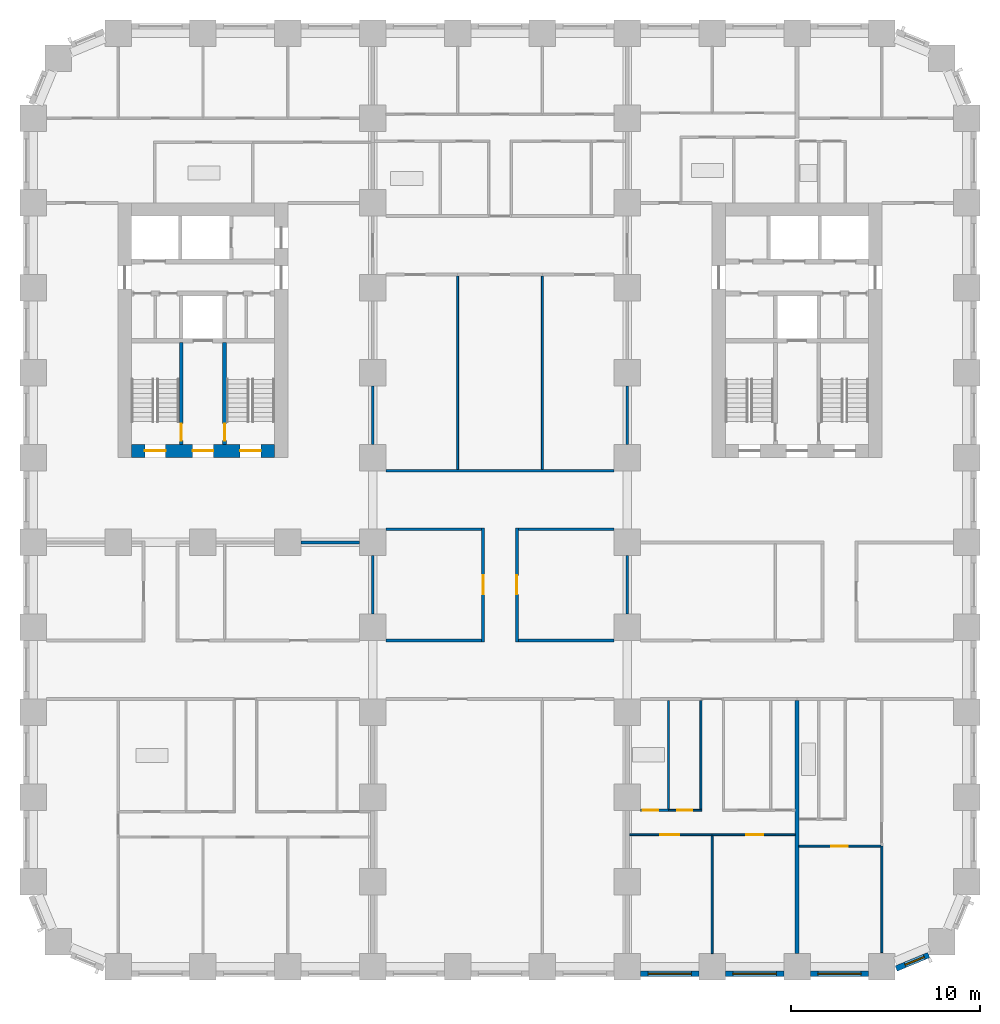
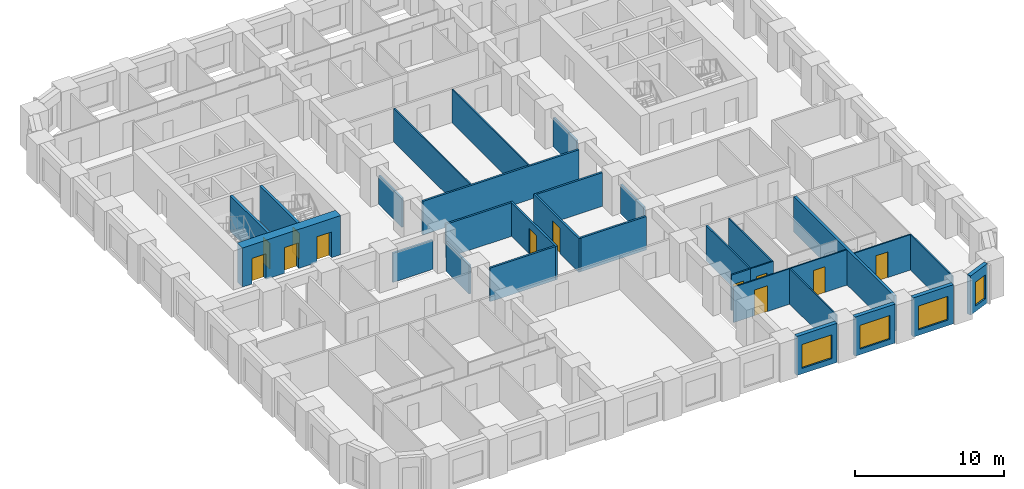
# One storey, part 4 of 13: 31 walls, 12 doors, 4 windows, 16 openings.
"""IFC4 building model written with IfcOpenShell, lengths in metres."""

from ifc_helpers import new_model, si_unit, direction, frame, frame_2d, origin, place, context, subcontext, project, spatial, rectangle, extrude, material, layer, layer_set, type_object, element, fill, save


model = new_model("IFC4")

# Units and contexts
model_context = context("Model", 3, precision=1e-05, world=origin(), true_north=direction((0.0, 1.0)))
body_context = subcontext(model_context, "Body", "Model", "MODEL_VIEW")
ifc_project = project(units=[si_unit("LENGTHUNIT", "METRE"), si_unit("AREAUNIT", "SQUARE_METRE"), si_unit("VOLUMEUNIT", "CUBIC_METRE"), si_unit("PLANEANGLEUNIT", "RADIAN"), si_unit("MASSUNIT", "GRAM", prefix="KILO")], contexts=[model_context])

# Site, building, storey
site_placement = place(None, origin())
site = spatial("IfcSite", under=ifc_project, at=site_placement, CompositionType="ELEMENT")
building_placement = place(site_placement, origin())
building = spatial("IfcBuilding", under=site, at=building_placement, Name="Girih Gate Residences", CompositionType="ELEMENT")
storey_placement = place(building_placement, frame((0.0, 0.0, 56.0)))
storey = spatial("IfcBuildingStorey", under=building, at=storey_placement, Name="L14", CompositionType="ELEMENT", Elevation=56.0)

# Wall, opening, door
ifc_material_1 = material(Name="Gypsum board on steel studs", Category="steel")
ifc_layer_1 = layer(ifc_material_1, 0.14990234375)
ifc_layer_set_1 = layer_set([ifc_layer_1], Name="Compartment wall 150 mm")
wall_type_1 = type_object("IfcWallType", Name="Compartment wall 150 mm", PredefinedType="PARTITIONING", material=ifc_layer_set_1)
wall_1_placement = place(storey_placement, frame((23.85009765625, 17.22509765625, 0.0), z_axis=(0.0, 0.0, 1.0), x_axis=(0.0, 1.0, 0.0)))
wall_1 = element("IfcWall", 1, at=wall_1_placement, inside=storey, type_object=wall_type_1, Name="L14 partition", PredefinedType="PARTITIONING", context=body_context, shape_type="SweptSolid", body=[
    extrude(rectangle(XDim=6.0498046875, YDim=0.14990234375, at=frame_2d((3.02490234375, 0.0))), origin(), (0.0, 0.0, 1.0), 2.75),
])
opening_1_placement = place(wall_1_placement, frame((2.52490234375, 0.0, 0.0)))
opening_1 = element("IfcOpeningElement", 2, at=opening_1_placement, cuts=wall_1, Name="Opening A14-054", PredefinedType="OPENING", context=body_context, shape_type="SweptSolid", body=[
    extrude(rectangle(XDim=1.0, YDim=2.10009765625, at=frame_2d((0.5, 1.050048828125))), frame((0.0, 0.0849609375, 0.0), z_axis=(0.0, -1.0, 0.0), x_axis=(1.0, 0.0, 0.0)), (0.0, 0.0, 1.0), 0.169921875),
])
ifc_material_2 = material(Name="Timber, fire-rated core", Category="wood")
door_type_1 = type_object("IfcDoorType", Name="Amenity room door 1000x2100 FD30S", OperationType="NOTDEFINED", PredefinedType="DOOR", material=ifc_material_2)
door_1_placement = place(opening_1_placement, origin())
door_1 = element("IfcDoor", 3, at=door_1_placement, inside=storey, type_object=door_type_1, Name="Door A14-054", OperationType="SINGLE_SWING_RIGHT", OverallHeight=2.10009765625, OverallWidth=1.0, PredefinedType="DOOR", context=body_context, shape_type="SweptSolid", body=[
    extrude(rectangle(XDim=1.0, YDim=2.10009765625, at=frame_2d((0.5, 1.050048828125))), frame((0.0, 0.02490234375, 0.0), z_axis=(0.0, -1.0, 0.0), x_axis=(1.0, 0.0, 0.0)), (0.0, 0.0, 1.0), 0.050048828125),
])
fill(opening_1, door_1)

wall_2_placement = place(storey_placement, frame((25.64990234375, 23.27490234375, 0.0), z_axis=(0.0, 0.0, 1.0), x_axis=(0.0, -1.0, 0.0)))
wall_2 = element("IfcWall", 4, at=wall_2_placement, inside=storey, type_object=wall_type_1, Name="L14 partition", PredefinedType="PARTITIONING", context=body_context, shape_type="SweptSolid", body=[
    extrude(rectangle(XDim=6.0498046875, YDim=0.14990234375, at=frame_2d((3.02490234375, 0.0))), origin(), (0.0, 0.0, 1.0), 2.75),
])
opening_2_placement = place(wall_2_placement, frame((2.52490234375, 0.0, 0.0)))
opening_2 = element("IfcOpeningElement", 5, at=opening_2_placement, cuts=wall_2, Name="Opening A14-055", PredefinedType="OPENING", context=body_context, shape_type="SweptSolid", body=[
    extrude(rectangle(XDim=1.0, YDim=2.10009765625, at=frame_2d((0.5, 1.050048828125))), frame((0.0, 0.0849609375, 0.0), z_axis=(0.0, -1.0, 0.0), x_axis=(1.0, 0.0, 0.0)), (0.0, 0.0, 1.0), 0.169921875),
])
door_2_placement = place(opening_2_placement, origin())
door_2 = element("IfcDoor", 6, at=door_2_placement, inside=storey, type_object=door_type_1, Name="Door A14-055", OperationType="SINGLE_SWING_RIGHT", OverallHeight=2.10009765625, OverallWidth=1.0, PredefinedType="DOOR", context=body_context, shape_type="SweptSolid", body=[
    extrude(rectangle(XDim=1.0, YDim=2.10009765625, at=frame_2d((0.5, 1.050048828125))), frame((0.0, 0.02490234375, 0.0), z_axis=(0.0, -1.0, 0.0), x_axis=(1.0, 0.0, 0.0)), (0.0, 0.0, 1.0), 0.050048828125),
])
fill(opening_2, door_2)

# Walls
for number, where, z_axis, x_axis, name in (
    (7, (18.699951171875, 17.300048828125, 0.0), (0.0, 0.0, 1.0), (1.0, 0.0, 0.0), "L14 partition"),
    (8, (25.72509765625, 17.300048828125, 0.0), (0.0, 0.0, 1.0), (1.0, 0.0, 0.0), "L14 partition"),
):
    element("IfcWall", number, at=place(storey_placement, frame(where, z_axis=z_axis, x_axis=x_axis)), inside=storey, type_object=wall_type_1, Name=name, PredefinedType="PARTITIONING", context=body_context, shape_type="SweptSolid", body=[
        extrude(rectangle(XDim=5.074951171875, YDim=0.14990234375, at=frame_2d((2.53759765625, 0.0))), origin(), (0.0, 0.0, 1.0), 2.75),
    ])
wall_3_placement = place(storey_placement, frame((18.0, 27.699951171875, 0.0), z_axis=(0.0, 0.0, 1.0), x_axis=(0.0, 1.0, 0.0)))
element("IfcWall", 9, at=wall_3_placement, inside=storey, type_object=wall_type_1, Name="L14 partition", PredefinedType="PARTITIONING", context=body_context, shape_type="SweptSolid", body=[
    extrude(rectangle(XDim=3.10009765625, YDim=0.14990234375, at=frame_2d((1.550048828125, 0.0))), origin(), (0.0, 0.0, 1.0), 2.3798828125),
])
wall_4_placement = place(storey_placement, frame((18.699951171875, 26.300048828125, 0.0), z_axis=(0.0, 0.0, 1.0), x_axis=(1.0, 0.0, 0.0)))
element("IfcWall", 10, at=wall_4_placement, inside=storey, type_object=wall_type_1, Name="L14 partition", PredefinedType="PARTITIONING", context=body_context, shape_type="SweptSolid", body=[
    extrude(rectangle(XDim=12.10009765625, YDim=0.14990234375, at=frame_2d((6.050048828125, 0.0))), origin(), (0.0, 0.0, 1.0), 2.75),
])
wall_5_placement = place(storey_placement, frame((31.5, 27.699951171875, 0.0), z_axis=(0.0, 0.0, 1.0), x_axis=(0.0, 1.0, 0.0)))
element("IfcWall", 11, at=wall_5_placement, inside=storey, type_object=wall_type_1, Name="L14 partition", PredefinedType="PARTITIONING", context=body_context, shape_type="SweptSolid", body=[
    extrude(rectangle(XDim=3.10009765625, YDim=0.14990234375, at=frame_2d((1.550048828125, 0.0))), origin(), (0.0, 0.0, 1.0), 2.3798828125),
])
wall_6_placement = place(storey_placement, frame((18.699951171875, 23.199951171875, 0.0), z_axis=(0.0, 0.0, 1.0), x_axis=(1.0, 0.0, 0.0)))
element("IfcWall", 12, at=wall_6_placement, inside=storey, type_object=wall_type_1, Name="L14 partition", PredefinedType="PARTITIONING", context=body_context, shape_type="SweptSolid", body=[
    extrude(rectangle(XDim=5.074951171875, YDim=0.14990234375, at=frame_2d((2.53759765625, 0.0))), origin(), (0.0, 0.0, 1.0), 2.75),
])
wall_7_placement = place(storey_placement, frame((18.0, 18.699951171875, 0.0), z_axis=(0.0, 0.0, 1.0), x_axis=(0.0, 1.0, 0.0)))
element("IfcWall", 13, at=wall_7_placement, inside=storey, type_object=wall_type_1, Name="L14 partition", PredefinedType="PARTITIONING", context=body_context, shape_type="SweptSolid", body=[
    extrude(rectangle(XDim=3.10009765625, YDim=0.14990234375, at=frame_2d((1.550048828125, 0.0))), origin(), (0.0, 0.0, 1.0), 2.3798828125),
])
wall_8_placement = place(storey_placement, frame((25.72509765625, 23.199951171875, 0.0), z_axis=(0.0, 0.0, 1.0), x_axis=(1.0, 0.0, 0.0)))
element("IfcWall", 14, at=wall_8_placement, inside=storey, type_object=wall_type_1, Name="L14 partition", PredefinedType="PARTITIONING", context=body_context, shape_type="SweptSolid", body=[
    extrude(rectangle(XDim=5.074951171875, YDim=0.14990234375, at=frame_2d((2.53759765625, 0.0))), origin(), (0.0, 0.0, 1.0), 2.75),
])
for number, where, z_axis, x_axis, name in (
    (15, (31.5, 18.699951171875, 0.0), (0.0, 0.0, 1.0), (0.0, 1.0, 0.0), "L14 partition"),
    (16, (14.199951171875, 22.5, 0.0), (0.0, 0.0, 1.0), (1.0, 0.0, 0.0), "L14 partition"),
):
    element("IfcWall", number, at=place(storey_placement, frame(where, z_axis=z_axis, x_axis=x_axis)), inside=storey, type_object=wall_type_1, Name=name, PredefinedType="PARTITIONING", context=body_context, shape_type="SweptSolid", body=[
        extrude(rectangle(XDim=3.10009765625, YDim=0.14990234375, at=frame_2d((1.550048828125, 0.0))), origin(), (0.0, 0.0, 1.0), 2.3798828125),
    ])

# Wall, openings, doors
ifc_material_3 = material(Name="Concrete C60/75", Category="concrete")
ifc_layer_2 = layer(ifc_material_3, 0.699951171875)
ifc_layer_set_2 = layer_set([ifc_layer_2], Name="Core wall RC 700 Concrete C60/75")
wall_type_2 = type_object("IfcWallType", Name="Core wall RC 700 Concrete C60/75", PredefinedType="SOLIDWALL", material=ifc_layer_set_2)
wall_9_placement = place(storey_placement, frame((5.199951171875, 27.35009765625, 0.0), z_axis=(0.0, 0.0, 1.0), x_axis=(1.0, 0.0, 0.0)))
wall_9 = element("IfcWall", 17, at=wall_9_placement, inside=storey, type_object=wall_type_2, Name="Core wall W-S L14", PredefinedType="SOLIDWALL", context=body_context, shape_type="SweptSolid", body=[
    extrude(rectangle(XDim=7.60009765625, YDim=0.699951171875, at=frame_2d((3.800048828125, 0.0))), origin(), (0.0, 0.0, 1.0), 3.199951171875),
])
opening_3_placement = place(wall_9_placement, frame((0.72509765625, 0.0, 0.0)))
opening_3 = element("IfcOpeningElement", 18, at=opening_3_placement, cuts=wall_9, Name="Opening D-L14-W-010", PredefinedType="OPENING", context=body_context, shape_type="SweptSolid", body=[
    extrude(rectangle(XDim=1.10009765625, YDim=2.10009765625, at=frame_2d((0.550048828125, 1.050048828125))), frame((0.0, 0.35986328125, 0.0), z_axis=(0.0, -1.0, 0.0), x_axis=(1.0, 0.0, 0.0)), (0.0, 0.0, 1.0), 0.719970703125),
])
opening_4_placement = place(wall_9_placement, frame((3.25, 0.0, 0.0)))
opening_4 = element("IfcOpeningElement", 19, at=opening_4_placement, cuts=wall_9, Name="Opening D-L14-W-011", PredefinedType="OPENING", context=body_context, shape_type="SweptSolid", body=[
    extrude(rectangle(XDim=1.10009765625, YDim=2.10009765625, at=frame_2d((0.550048828125, 1.050048828125))), frame((0.0, 0.35986328125, 0.0), z_axis=(0.0, -1.0, 0.0), x_axis=(1.0, 0.0, 0.0)), (0.0, 0.0, 1.0), 0.719970703125),
])
opening_5_placement = place(wall_9_placement, frame((5.77490234375, 0.0, 0.0)))
opening_5 = element("IfcOpeningElement", 20, at=opening_5_placement, cuts=wall_9, Name="Opening D-L14-W-012", PredefinedType="OPENING", context=body_context, shape_type="SweptSolid", body=[
    extrude(rectangle(XDim=1.10009765625, YDim=2.10009765625, at=frame_2d((0.550048828125, 1.050048828125))), frame((0.0, 0.35986328125, 0.0), z_axis=(0.0, -1.0, 0.0), x_axis=(1.0, 0.0, 0.0)), (0.0, 0.0, 1.0), 0.719970703125),
])
ifc_material_4 = material(Name="Painted steel, fire-resisting", Category="steel")
door_type_2 = type_object("IfcDoorType", Name="Fire door 1100x2100", OperationType="SINGLE_SWING_LEFT", PredefinedType="DOOR", material=ifc_material_4)
door_3_placement = place(opening_3_placement, origin())
door_3 = element("IfcDoor", 21, at=door_3_placement, inside=storey, type_object=door_type_2, Name="L14 W core door sta-out", OperationType="SINGLE_SWING_LEFT", OverallHeight=2.10009765625, OverallWidth=1.10009765625, PredefinedType="DOOR", context=body_context, shape_type="SweptSolid", body=[
    extrude(rectangle(XDim=1.10009765625, YDim=2.10009765625, at=frame_2d((0.550048828125, 1.050048828125))), frame((0.0, 0.02490234375, 0.0), z_axis=(0.0, -1.0, 0.0), x_axis=(1.0, 0.0, 0.0)), (0.0, 0.0, 1.0), 0.050048828125),
])
fill(opening_3, door_3)
door_4_placement = place(opening_4_placement, origin())
door_4 = element("IfcDoor", 22, at=door_4_placement, inside=storey, type_object=door_type_2, Name="L14 W core door ffl-out", OperationType="SINGLE_SWING_LEFT", OverallHeight=2.10009765625, OverallWidth=1.10009765625, PredefinedType="DOOR", context=body_context, shape_type="SweptSolid", body=[
    extrude(rectangle(XDim=1.10009765625, YDim=2.10009765625, at=frame_2d((0.550048828125, 1.050048828125))), frame((0.0, 0.02490234375, 0.0), z_axis=(0.0, -1.0, 0.0), x_axis=(1.0, 0.0, 0.0)), (0.0, 0.0, 1.0), 0.050048828125),
])
fill(opening_4, door_4)
door_5_placement = place(opening_5_placement, origin())
door_5 = element("IfcDoor", 23, at=door_5_placement, inside=storey, type_object=door_type_2, Name="L14 W core door stb-out", OperationType="SINGLE_SWING_LEFT", OverallHeight=2.10009765625, OverallWidth=1.10009765625, PredefinedType="DOOR", context=body_context, shape_type="SweptSolid", body=[
    extrude(rectangle(XDim=1.10009765625, YDim=2.10009765625, at=frame_2d((0.550048828125, 1.050048828125))), frame((0.0, 0.02490234375, 0.0), z_axis=(0.0, -1.0, 0.0), x_axis=(1.0, 0.0, 0.0)), (0.0, 0.0, 1.0), 0.050048828125),
])
fill(opening_5, door_5)

# Wall, opening, door
ifc_layer_3 = layer(ifc_material_1, 0.10009765625)
ifc_layer_set_3 = layer_set([ifc_layer_3], Name="Partition 100 mm")
wall_type_3 = type_object("IfcWallType", Name="Partition 100 mm", PredefinedType="PARTITIONING", material=ifc_layer_set_3)
wall_10_placement = place(storey_placement, frame((44.949951171875, 6.39990234375, 0.0), z_axis=(0.0, 0.0, 1.0), x_axis=(-1.0, 0.0, 0.0)))
wall_10 = element("IfcWall", 24, at=wall_10_placement, inside=storey, type_object=wall_type_3, Name="L14 partition", PredefinedType="PARTITIONING", context=body_context, shape_type="SweptSolid", body=[
    extrude(rectangle(XDim=4.349853515625, YDim=0.10009765625, at=frame_2d((2.1748046875, 0.0))), origin(), (0.0, 0.0, 1.0), 2.89990234375),
])
opening_6_placement = place(wall_10_placement, frame((1.75, 0.0, 0.0)))
opening_6 = element("IfcOpeningElement", 25, at=opening_6_placement, cuts=wall_10, Name="Opening A14-018", PredefinedType="OPENING", context=body_context, shape_type="SweptSolid", body=[
    extrude(rectangle(XDim=0.89990234375, YDim=2.10009765625, at=frame_2d((0.449951171875, 1.050048828125))), frame((0.0, 0.06005859375, 0.0), z_axis=(0.0, -1.0, 0.0), x_axis=(1.0, 0.0, 0.0)), (0.0, 0.0, 1.0), 0.1201171875),
])
ifc_material_5 = material(Name="Timber", Category="wood")
door_type_3 = type_object("IfcDoorType", Name="Bedroom door 900x2100", OperationType="NOTDEFINED", PredefinedType="DOOR", material=ifc_material_5)
door_6_placement = place(opening_6_placement, origin())
door_6 = element("IfcDoor", 26, at=door_6_placement, inside=storey, type_object=door_type_3, Name="Door A14-018", OperationType="SINGLE_SWING_RIGHT", OverallHeight=2.10009765625, OverallWidth=0.89990234375, PredefinedType="DOOR", context=body_context, shape_type="SweptSolid", body=[
    extrude(rectangle(XDim=0.89990234375, YDim=2.10009765625, at=frame_2d((0.449951171875, 1.050048828125))), frame((0.0, 0.02490234375, 0.0), z_axis=(0.0, -1.0, 0.0), x_axis=(1.0, 0.0, 0.0)), (0.0, 0.0, 1.0), 0.050048828125),
])
fill(opening_6, door_6)

# Wall
wall_11_placement = place(storey_placement, frame((45.0, 0.757568359375, 0.0), z_axis=(0.0, 0.0, 1.0), x_axis=(0.0, 1.0, 0.0)))
element("IfcWall", 27, at=wall_11_placement, inside=storey, type_object=wall_type_3, Name="L14 partition", PredefinedType="PARTITIONING", context=body_context, shape_type="SweptSolid", body=[
    extrude(rectangle(XDim=5.642333984375, YDim=0.10009765625, at=frame_2d((2.8212890625, 0.0))), origin(), (0.0, 0.0, 1.0), 2.89990234375),
])

# Wall, opening, door
wall_12_placement = place(storey_placement, frame((40.39990234375, 7.0, 0.0), z_axis=(0.0, 0.0, 1.0), x_axis=(-1.0, 0.0, 0.0)))
wall_12 = element("IfcWall", 28, at=wall_12_placement, inside=storey, type_object=wall_type_3, Name="L14 partition", PredefinedType="PARTITIONING", context=body_context, shape_type="SweptSolid", body=[
    extrude(rectangle(XDim=4.39990234375, YDim=0.10009765625, at=frame_2d((2.199951171875, 0.0))), origin(), (0.0, 0.0, 1.0), 2.89990234375),
])
opening_7_placement = place(wall_12_placement, frame((1.699951171875, 0.0, 0.0)))
opening_7 = element("IfcOpeningElement", 29, at=opening_7_placement, cuts=wall_12, Name="Opening A14-023", PredefinedType="OPENING", context=body_context, shape_type="SweptSolid", body=[
    extrude(rectangle(XDim=0.89990234375, YDim=2.10009765625, at=frame_2d((0.449951171875, 1.050048828125))), frame((0.0, 0.06005859375, 0.0), z_axis=(0.0, -1.0, 0.0), x_axis=(1.0, 0.0, 0.0)), (0.0, 0.0, 1.0), 0.1201171875),
])
door_7_placement = place(opening_7_placement, origin())
door_7 = element("IfcDoor", 30, at=door_7_placement, inside=storey, type_object=door_type_3, Name="Door A14-023", OperationType="SINGLE_SWING_LEFT", OverallHeight=2.10009765625, OverallWidth=0.89990234375, PredefinedType="DOOR", context=body_context, shape_type="SweptSolid", body=[
    extrude(rectangle(XDim=0.89990234375, YDim=2.10009765625, at=frame_2d((0.449951171875, 1.050048828125))), frame((0.0, 0.02490234375, 0.0), z_axis=(0.0, -1.0, 0.0), x_axis=(1.0, 0.0, 0.0)), (0.0, 0.0, 1.0), 0.050048828125),
])
fill(opening_7, door_7)

# Wall
wall_13_placement = place(storey_placement, frame((36.0, 0.699951171875, 0.0), z_axis=(0.0, 0.0, 1.0), x_axis=(0.0, 1.0, 0.0)))
element("IfcWall", 31, at=wall_13_placement, inside=storey, type_object=wall_type_3, Name="L14 partition", PredefinedType="PARTITIONING", context=body_context, shape_type="SweptSolid", body=[
    extrude(rectangle(XDim=6.25, YDim=0.10009765625, at=frame_2d((3.125, 0.0))), origin(), (0.0, 0.0, 1.0), 2.89990234375),
])

# Wall, opening, door
wall_14_placement = place(storey_placement, frame((36.0, 7.0, 0.0), z_axis=(0.0, 0.0, 1.0), x_axis=(-1.0, 0.0, 0.0)))
wall_14 = element("IfcWall", 32, at=wall_14_placement, inside=storey, type_object=wall_type_3, Name="L14 partition", PredefinedType="PARTITIONING", context=body_context, shape_type="SweptSolid", body=[
    extrude(rectangle(XDim=4.375, YDim=0.10009765625, at=frame_2d((2.1875, 0.0))), origin(), (0.0, 0.0, 1.0), 2.89990234375),
])
opening_8_placement = place(wall_14_placement, frame((1.75, 0.0, 0.0)))
opening_8 = element("IfcOpeningElement", 33, at=opening_8_placement, cuts=wall_14, Name="Opening A14-025", PredefinedType="OPENING", context=body_context, shape_type="SweptSolid", body=[
    extrude(rectangle(XDim=1.0, YDim=2.10009765625, at=frame_2d((0.5, 1.050048828125))), frame((0.0, 0.06005859375, 0.0), z_axis=(0.0, -1.0, 0.0), x_axis=(1.0, 0.0, 0.0)), (0.0, 0.0, 1.0), 0.1201171875),
])
door_type_4 = type_object("IfcDoorType", Name="Living room door 1000x2100", OperationType="NOTDEFINED", PredefinedType="DOOR", material=ifc_material_5)
door_8_placement = place(opening_8_placement, origin())
door_8 = element("IfcDoor", 34, at=door_8_placement, inside=storey, type_object=door_type_4, Name="Door A14-025", OperationType="SINGLE_SWING_RIGHT", OverallHeight=2.10009765625, OverallWidth=1.0, PredefinedType="DOOR", context=body_context, shape_type="SweptSolid", body=[
    extrude(rectangle(XDim=1.0, YDim=2.10009765625, at=frame_2d((0.5, 1.050048828125))), frame((0.0, 0.02490234375, 0.0), z_axis=(0.0, -1.0, 0.0), x_axis=(1.0, 0.0, 0.0)), (0.0, 0.0, 1.0), 0.050048828125),
])
fill(opening_8, door_8)

wall_15_placement = place(storey_placement, frame((33.684326171875, 8.300048828125, 0.0), z_axis=(0.0, 0.0, 1.0), x_axis=(1.0, 0.0, 0.0)))
wall_15 = element("IfcWall", 35, at=wall_15_placement, inside=storey, type_object=wall_type_3, Name="L14 partition", PredefinedType="PARTITIONING", context=body_context, shape_type="SweptSolid", body=[
    extrude(rectangle(XDim=1.765625, YDim=0.10009765625, at=frame_2d((0.8828125, 0.0))), origin(), (0.0, 0.0, 1.0), 2.89990234375),
])
opening_9_placement = place(wall_15_placement, frame((0.457763671875, 0.0, 0.0)))
opening_9 = element("IfcOpeningElement", 36, at=opening_9_placement, cuts=wall_15, Name="Opening A14-027", PredefinedType="OPENING", context=body_context, shape_type="SweptSolid", body=[
    extrude(rectangle(XDim=0.800048828125, YDim=2.10009765625, at=frame_2d((0.39990234375, 1.050048828125))), frame((0.0, 0.06005859375, 0.0), z_axis=(0.0, -1.0, 0.0), x_axis=(1.0, 0.0, 0.0)), (0.0, 0.0, 1.0), 0.1201171875),
])
door_type_5 = type_object("IfcDoorType", Name="Store door 800x2100", OperationType="NOTDEFINED", PredefinedType="DOOR", material=ifc_material_5)
door_9_placement = place(opening_9_placement, origin())
door_9 = element("IfcDoor", 37, at=door_9_placement, inside=storey, type_object=door_type_5, Name="Door A14-027", OperationType="SINGLE_SWING_LEFT", OverallHeight=2.10009765625, OverallWidth=0.800048828125, PredefinedType="DOOR", context=body_context, shape_type="SweptSolid", body=[
    extrude(rectangle(XDim=0.800048828125, YDim=2.10009765625, at=frame_2d((0.39990234375, 1.050048828125))), frame((0.0, 0.02490234375, 0.0), z_axis=(0.0, -1.0, 0.0), x_axis=(1.0, 0.0, 0.0)), (0.0, 0.0, 1.0), 0.050048828125),
])
fill(opening_9, door_9)

# Walls
wall_16_placement = place(storey_placement, frame((35.39990234375, 8.35009765625, 0.0), z_axis=(0.0, 0.0, 1.0), x_axis=(0.0, 1.0, 0.0)))
element("IfcWall", 38, at=wall_16_placement, inside=storey, type_object=wall_type_3, Name="L14 partition", PredefinedType="PARTITIONING", context=body_context, shape_type="SweptSolid", body=[
    extrude(rectangle(XDim=5.77490234375, YDim=0.10009765625, at=frame_2d((2.887451171875, 0.0))), origin(), (0.0, 0.0, 1.0), 2.89990234375),
])
for number, where, z_axis, x_axis, name in (
    (39, (22.5, 26.375, 0.0), (0.0, 0.0, 1.0), (0.0, 1.0, 0.0), "L14 partition"),
    (40, (27.0, 26.375, 0.0), (0.0, 0.0, 1.0), (0.0, 1.0, 0.0), "L14 partition"),
):
    element("IfcWall", number, at=place(storey_placement, frame(where, z_axis=z_axis, x_axis=x_axis)), inside=storey, type_object=wall_type_3, Name=name, PredefinedType="PARTITIONING", context=body_context, shape_type="SweptSolid", body=[
        extrude(rectangle(XDim=10.25, YDim=0.10009765625, at=frame_2d((5.125, 0.0))), origin(), (0.0, 0.0, 1.0), 2.75),
    ])
ifc_layer_4 = layer(ifc_material_1, 0.199951171875)
ifc_layer_set_4 = layer_set([ifc_layer_4], Name="Party wall 200 mm")
wall_type_4 = type_object("IfcWallType", Name="Party wall 200 mm", PredefinedType="PARTITIONING", material=ifc_layer_set_4)
wall_17_placement = place(storey_placement, frame((40.5, 0.699951171875, 0.0), z_axis=(0.0, 0.0, 1.0), x_axis=(0.0, 1.0, 0.0)))
element("IfcWall", 41, at=wall_17_placement, inside=storey, type_object=wall_type_4, Name="L14 partition", PredefinedType="PARTITIONING", context=body_context, shape_type="SweptSolid", body=[
    extrude(rectangle(XDim=13.425048828125, YDim=0.199951171875, at=frame_2d((6.71240234375, 0.0))), origin(), (0.0, 0.0, 1.0), 2.89990234375),
])

# Wall, opening, window
ifc_material_6 = material(Name="Precast concrete C50/60", Category="concrete")
ifc_layer_5 = layer(ifc_material_6, 0.080078125, Name="Outer leaf")
ifc_material_7 = material(Name="Rigid PIR insulation")
ifc_layer_6 = layer(ifc_material_7, 0.14990234375, Name="Insulation")
ifc_material_8 = material(Name="Precast concrete C40/50", Category="concrete")
ifc_layer_7 = layer(ifc_material_8, 0.070068359375, Name="Inner leaf")
ifc_layer_set_5 = layer_set([ifc_layer_5, ifc_layer_6, ifc_layer_7], Name="Precast concrete C50/60 external wall 300")
wall_type_5 = type_object("IfcWallType", Name="Precast concrete C50/60 external wall 300", PredefinedType="SOLIDWALL", material=ifc_layer_set_5)
wall_18_placement = place(storey_placement, frame((35.300048828125, -0.375, 0.0), z_axis=(0.0, 0.0, 1.0), x_axis=(-1.0, 0.0, 0.0)))
wall_18 = element("IfcWall", 42, at=wall_18_placement, inside=storey, type_object=wall_type_5, Name="External wall S0045_0000.6", PredefinedType="SOLIDWALL", context=body_context, shape_type="SweptSolid", body=[
    extrude(rectangle(XDim=3.10009765625, YDim=0.300048828125, at=frame_2d((1.550048828125, 0.0))), origin(), (0.0, 0.0, 1.0), 3.199951171875),
])
opening_10_placement = place(wall_18_placement, frame((0.39990234375, 0.0, 0.449951171875)))
opening_10 = element("IfcOpeningElement", 43, at=opening_10_placement, cuts=wall_18, Name="Opening W-1", PredefinedType="OPENING", context=body_context, shape_type="SweptSolid", body=[
    extrude(rectangle(XDim=2.300048828125, YDim=1.949951171875, at=frame_2d((1.14990234375, 0.97509765625))), frame((0.0, 0.159912109375, 0.0), z_axis=(0.0, -1.0, 0.0), x_axis=(1.0, 0.0, 0.0)), (0.0, 0.0, 1.0), 0.320068359375),
])
ifc_material_9 = material(Name="Double glazing in aluminium frame", Category="aluminium")
window_type_1 = type_object("IfcWindowType", Name="Window W-1 2300x1950", PartitioningType="SINGLE_PANEL", PredefinedType="WINDOW", material=ifc_material_9)
window_1_placement = place(opening_10_placement, origin())
window_1 = element("IfcWindow", 44, at=window_1_placement, inside=storey, type_object=window_type_1, Name="Window W-1 S0045_0000.6", OverallHeight=1.949951171875, OverallWidth=2.300048828125, PartitioningType="SINGLE_PANEL", PredefinedType="WINDOW", context=body_context, shape_type="SweptSolid", body=[
    extrude(rectangle(XDim=2.300048828125, YDim=1.949951171875, at=frame_2d((1.14990234375, 0.97509765625))), frame((0.0, 0.030029296875, 0.0), z_axis=(0.0, -1.0, 0.0), x_axis=(1.0, 0.0, 0.0)), (0.0, 0.0, 1.0), 0.06005859375),
])
fill(opening_10, window_1)

wall_19_placement = place(storey_placement, frame((39.800048828125, -0.375, 0.0), z_axis=(0.0, 0.0, 1.0), x_axis=(-1.0, 0.0, 0.0)))
wall_19 = element("IfcWall", 45, at=wall_19_placement, inside=storey, type_object=wall_type_5, Name="External wall S0045_0000.7", PredefinedType="SOLIDWALL", context=body_context, shape_type="SweptSolid", body=[
    extrude(rectangle(XDim=3.10009765625, YDim=0.300048828125, at=frame_2d((1.550048828125, 0.0))), origin(), (0.0, 0.0, 1.0), 3.199951171875),
])
opening_11_placement = place(wall_19_placement, frame((0.39990234375, 0.0, 0.449951171875)))
opening_11 = element("IfcOpeningElement", 46, at=opening_11_placement, cuts=wall_19, Name="Opening W-1", PredefinedType="OPENING", context=body_context, shape_type="SweptSolid", body=[
    extrude(rectangle(XDim=2.300048828125, YDim=1.949951171875, at=frame_2d((1.14990234375, 0.97509765625))), frame((0.0, 0.159912109375, 0.0), z_axis=(0.0, -1.0, 0.0), x_axis=(1.0, 0.0, 0.0)), (0.0, 0.0, 1.0), 0.320068359375),
])
window_2_placement = place(opening_11_placement, origin())
window_2 = element("IfcWindow", 47, at=window_2_placement, inside=storey, type_object=window_type_1, Name="Window W-1 S0045_0000.7", OverallHeight=1.949951171875, OverallWidth=2.300048828125, PartitioningType="SINGLE_PANEL", PredefinedType="WINDOW", context=body_context, shape_type="SweptSolid", body=[
    extrude(rectangle(XDim=2.300048828125, YDim=1.949951171875, at=frame_2d((1.14990234375, 0.97509765625))), frame((0.0, 0.030029296875, 0.0), z_axis=(0.0, -1.0, 0.0), x_axis=(1.0, 0.0, 0.0)), (0.0, 0.0, 1.0), 0.06005859375),
])
fill(opening_11, window_2)

wall_20_placement = place(storey_placement, frame((44.300048828125, -0.375, 0.0), z_axis=(0.0, 0.0, 1.0), x_axis=(-1.0, 0.0, 0.0)))
wall_20 = element("IfcWall", 48, at=wall_20_placement, inside=storey, type_object=wall_type_5, Name="External wall S0045_0000.8", PredefinedType="SOLIDWALL", context=body_context, shape_type="SweptSolid", body=[
    extrude(rectangle(XDim=3.10009765625, YDim=0.300048828125, at=frame_2d((1.550048828125, 0.0))), origin(), (0.0, 0.0, 1.0), 3.199951171875),
])
opening_12_placement = place(wall_20_placement, frame((0.39990234375, 0.0, 0.449951171875)))
opening_12 = element("IfcOpeningElement", 49, at=opening_12_placement, cuts=wall_20, Name="Opening W-1", PredefinedType="OPENING", context=body_context, shape_type="SweptSolid", body=[
    extrude(rectangle(XDim=2.300048828125, YDim=1.949951171875, at=frame_2d((1.14990234375, 0.97509765625))), frame((0.0, 0.159912109375, 0.0), z_axis=(0.0, -1.0, 0.0), x_axis=(1.0, 0.0, 0.0)), (0.0, 0.0, 1.0), 0.320068359375),
])
window_3_placement = place(opening_12_placement, origin())
window_3 = element("IfcWindow", 50, at=window_3_placement, inside=storey, type_object=window_type_1, Name="Window W-1 S0045_0000.8", OverallHeight=1.949951171875, OverallWidth=2.300048828125, PartitioningType="SINGLE_PANEL", PredefinedType="WINDOW", context=body_context, shape_type="SweptSolid", body=[
    extrude(rectangle(XDim=2.300048828125, YDim=1.949951171875, at=frame_2d((1.14990234375, 0.97509765625))), frame((0.0, 0.030029296875, 0.0), z_axis=(0.0, -1.0, 0.0), x_axis=(1.0, 0.0, 0.0)), (0.0, 0.0, 1.0), 0.06005859375),
])
fill(opening_12, window_3)

wall_21_placement = place(storey_placement, frame((47.48046875, 0.62158203125, 0.0), z_axis=(0.0, 0.0, 1.0), x_axis=(-0.923903565336, -0.38262540684, 0.0)))
wall_21 = element("IfcWall", 51, at=wall_21_placement, inside=storey, type_object=wall_type_5, Name="External wall SE0450_0000.0", PredefinedType="SOLIDWALL", context=body_context, shape_type="SweptSolid", body=[
    extrude(rectangle(XDim=1.864990234375, YDim=0.300048828125, at=frame_2d((0.9326171875, 0.0))), origin(), (0.0, 0.0, 1.0), 3.199951171875),
])
opening_13_placement = place(wall_21_placement, frame((0.257568359375, 0.0, 0.449951171875)))
opening_13 = element("IfcOpeningElement", 52, at=opening_13_placement, cuts=wall_21, Name="Opening W-2C", PredefinedType="OPENING", context=body_context, shape_type="SweptSolid", body=[
    extrude(rectangle(XDim=1.10009765625, YDim=1.949951171875, at=frame_2d((0.550048828125, 0.97509765625))), frame((0.0, 0.159912109375, 0.0), z_axis=(0.0, -1.0, 0.0), x_axis=(1.0, 0.0, 0.0)), (0.0, 0.0, 1.0), 0.320068359375),
])
window_type_2 = type_object("IfcWindowType", Name="Window W-2C 1100x1950", PartitioningType="SINGLE_PANEL", PredefinedType="WINDOW", material=ifc_material_9)
window_4_placement = place(opening_13_placement, origin())
window_4 = element("IfcWindow", 53, at=window_4_placement, inside=storey, type_object=window_type_2, Name="Window W-2C SE0450_0000.0", OverallHeight=1.949951171875, OverallWidth=1.10009765625, PartitioningType="SINGLE_PANEL", PredefinedType="WINDOW", context=body_context, shape_type="SweptSolid", body=[
    extrude(rectangle(XDim=1.10009765625, YDim=1.949951171875, at=frame_2d((0.550048828125, 0.97509765625))), frame((0.0, 0.030029296875, 0.0), z_axis=(0.0, -1.0, 0.0), x_axis=(1.0, 0.0, 0.0)), (0.0, 0.0, 1.0), 0.06005859375),
])
fill(opening_13, window_4)

# Wall, opening, door
ifc_material_10 = material(Name="Concrete C40/50", Category="concrete")
ifc_layer_8 = layer(ifc_material_10, 0.199951171875)
ifc_layer_set_6 = layer_set([ifc_layer_8], Name="Shaft wall 200")
wall_type_6 = type_object("IfcWallType", Name="Shaft wall 200", PredefinedType="SOLIDWALL", material=ifc_layer_set_6)
wall_22_placement = place(storey_placement, frame((7.85009765625, 27.699951171875, 0.0), z_axis=(0.0, 0.0, 1.0), x_axis=(0.0, 1.0, 0.0)))
wall_22 = element("IfcWall", 54, at=wall_22_placement, inside=storey, type_object=wall_type_6, Name="L14 W core wall V1a", PredefinedType="SOLIDWALL", context=body_context, shape_type="SweptSolid", body=[
    extrude(rectangle(XDim=5.400146484375, YDim=0.199951171875, at=frame_2d((2.7001953125, 0.0))), origin(), (0.0, 0.0, 1.0), 2.89990234375),
])
opening_14_placement = place(wall_22_placement, frame((0.199951171875, 0.0, 0.0)))
opening_14 = element("IfcOpeningElement", 55, at=opening_14_placement, cuts=wall_22, Name="Opening D-L14-W-001", PredefinedType="OPENING", context=body_context, shape_type="SweptSolid", body=[
    extrude(rectangle(XDim=0.89990234375, YDim=2.10009765625, at=frame_2d((0.449951171875, 1.050048828125))), frame((0.0, 0.10986328125, 0.0), z_axis=(0.0, -1.0, 0.0), x_axis=(1.0, 0.0, 0.0)), (0.0, 0.0, 1.0), 0.219970703125),
])
door_type_6 = type_object("IfcDoorType", Name="Fire door 900x2100", OperationType="SINGLE_SWING_LEFT", PredefinedType="DOOR", material=ifc_material_4)
door_10_placement = place(opening_14_placement, origin())
door_10 = element("IfcDoor", 56, at=door_10_placement, inside=storey, type_object=door_type_6, Name="L14 W door stair 1 to firefighting lobby", OperationType="SINGLE_SWING_LEFT", OverallHeight=2.10009765625, OverallWidth=0.89990234375, PredefinedType="DOOR", context=body_context, shape_type="SweptSolid", body=[
    extrude(rectangle(XDim=0.89990234375, YDim=2.10009765625, at=frame_2d((0.449951171875, 1.050048828125))), frame((0.0, 0.02490234375, 0.0), z_axis=(0.0, -1.0, 0.0), x_axis=(1.0, 0.0, 0.0)), (0.0, 0.0, 1.0), 0.050048828125),
])
fill(opening_14, door_10)

wall_23_placement = place(storey_placement, frame((10.14990234375, 27.699951171875, 0.0), z_axis=(0.0, 0.0, 1.0), x_axis=(0.0, 1.0, 0.0)))
wall_23 = element("IfcWall", 57, at=wall_23_placement, inside=storey, type_object=wall_type_6, Name="L14 W core wall V2a", PredefinedType="SOLIDWALL", context=body_context, shape_type="SweptSolid", body=[
    extrude(rectangle(XDim=5.400146484375, YDim=0.199951171875, at=frame_2d((2.7001953125, 0.0))), origin(), (0.0, 0.0, 1.0), 2.89990234375),
])
opening_15_placement = place(wall_23_placement, frame((0.199951171875, 0.0, 0.0)))
opening_15 = element("IfcOpeningElement", 58, at=opening_15_placement, cuts=wall_23, Name="Opening D-L14-W-002", PredefinedType="OPENING", context=body_context, shape_type="SweptSolid", body=[
    extrude(rectangle(XDim=0.89990234375, YDim=2.10009765625, at=frame_2d((0.449951171875, 1.050048828125))), frame((0.0, 0.10986328125, 0.0), z_axis=(0.0, -1.0, 0.0), x_axis=(1.0, 0.0, 0.0)), (0.0, 0.0, 1.0), 0.219970703125),
])
door_11_placement = place(opening_15_placement, origin())
door_11 = element("IfcDoor", 59, at=door_11_placement, inside=storey, type_object=door_type_6, Name="L14 W door stair 2 to firefighting lobby", OperationType="SINGLE_SWING_LEFT", OverallHeight=2.10009765625, OverallWidth=0.89990234375, PredefinedType="DOOR", context=body_context, shape_type="SweptSolid", body=[
    extrude(rectangle(XDim=0.89990234375, YDim=2.10009765625, at=frame_2d((0.449951171875, 1.050048828125))), frame((0.0, 0.02490234375, 0.0), z_axis=(0.0, -1.0, 0.0), x_axis=(1.0, 0.0, 0.0)), (0.0, 0.0, 1.0), 0.050048828125),
])
fill(opening_15, door_11)

ifc_layer_9 = layer(ifc_material_1, 0.125)
ifc_layer_set_7 = layer_set([ifc_layer_9], Name="Wet room wall 125 mm")
wall_type_7 = type_object("IfcWallType", Name="Wet room wall 125 mm", PredefinedType="PARTITIONING", material=ifc_layer_set_7)
wall_24_placement = place(storey_placement, frame((32.199951171875, 8.300048828125, 0.0), z_axis=(0.0, 0.0, 1.0), x_axis=(1.0, 0.0, 0.0)))
wall_24 = element("IfcWall", 60, at=wall_24_placement, inside=storey, type_object=wall_type_7, Name="L14 partition", PredefinedType="PARTITIONING", context=body_context, shape_type="SweptSolid", body=[
    extrude(rectangle(XDim=1.484375, YDim=0.125, at=frame_2d((0.7421875, 0.0))), origin(), (0.0, 0.0, 1.0), 2.89990234375),
])
opening_16_placement = place(wall_24_placement, frame((0.1298828125, 0.0, 0.0)))
opening_16 = element("IfcOpeningElement", 61, at=opening_16_placement, cuts=wall_24, Name="Opening A14-022", PredefinedType="OPENING", context=body_context, shape_type="SweptSolid", body=[
    extrude(rectangle(XDim=0.800048828125, YDim=2.10009765625, at=frame_2d((0.39990234375, 1.050048828125))), frame((0.0, 0.072509765625, 0.0), z_axis=(0.0, -1.0, 0.0), x_axis=(1.0, 0.0, 0.0)), (0.0, 0.0, 1.0), 0.14501953125),
])
door_type_7 = type_object("IfcDoorType", Name="Bathroom door 800x2100", OperationType="NOTDEFINED", PredefinedType="DOOR", material=ifc_material_5)
door_12_placement = place(opening_16_placement, origin())
door_12 = element("IfcDoor", 62, at=door_12_placement, inside=storey, type_object=door_type_7, Name="Door A14-022", OperationType="SINGLE_SWING_LEFT", OverallHeight=2.10009765625, OverallWidth=0.800048828125, PredefinedType="DOOR", context=body_context, shape_type="SweptSolid", body=[
    extrude(rectangle(XDim=0.800048828125, YDim=2.10009765625, at=frame_2d((0.39990234375, 1.050048828125))), frame((0.0, 0.02490234375, 0.0), z_axis=(0.0, -1.0, 0.0), x_axis=(1.0, 0.0, 0.0)), (0.0, 0.0, 1.0), 0.050048828125),
])
fill(opening_16, door_12)

# Wall
wall_25_placement = place(storey_placement, frame((33.68408203125, 8.362548828125, 0.0), z_axis=(0.0, 0.0, 1.0), x_axis=(0.0, 1.0, 0.0)))
element("IfcWall", 63, at=wall_25_placement, inside=storey, type_object=wall_type_7, Name="L14 partition", PredefinedType="PARTITIONING", context=body_context, shape_type="SweptSolid", body=[
    extrude(rectangle(XDim=5.762451171875, YDim=0.125, at=frame_2d((2.88134765625, 0.0))), origin(), (0.0, 0.0, 1.0), 2.89990234375),
])

save(model, "model.ifc")
